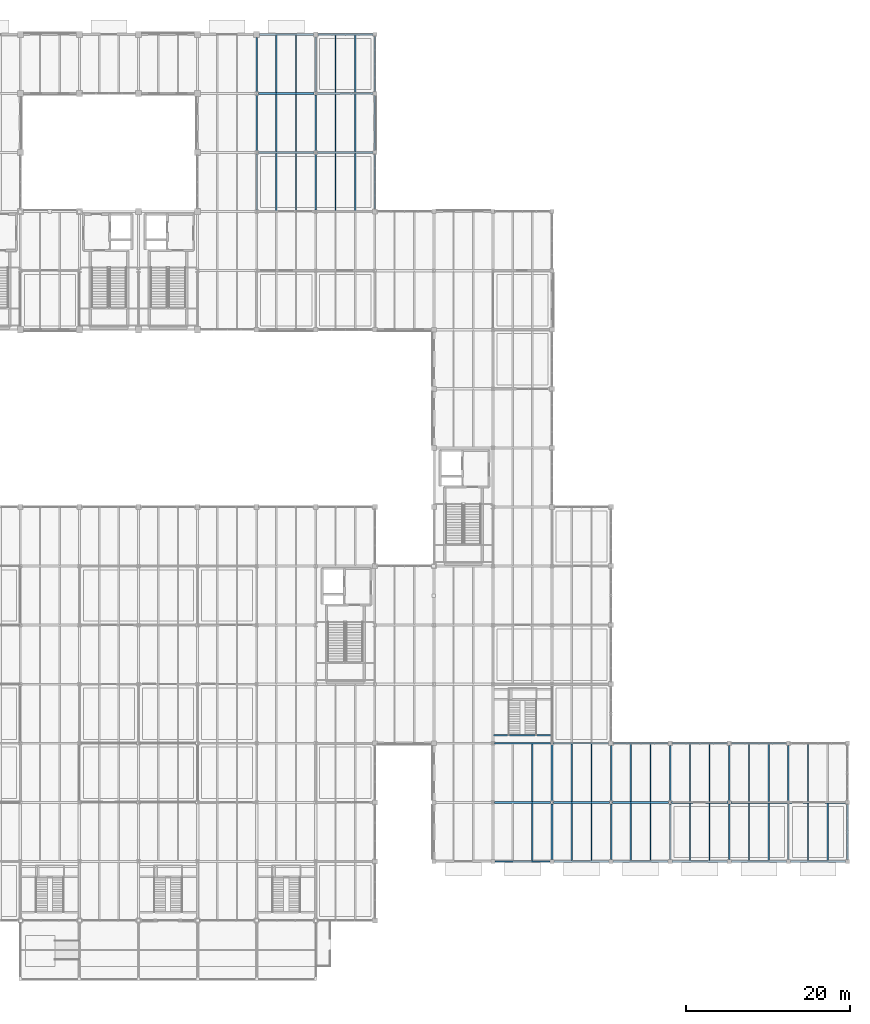
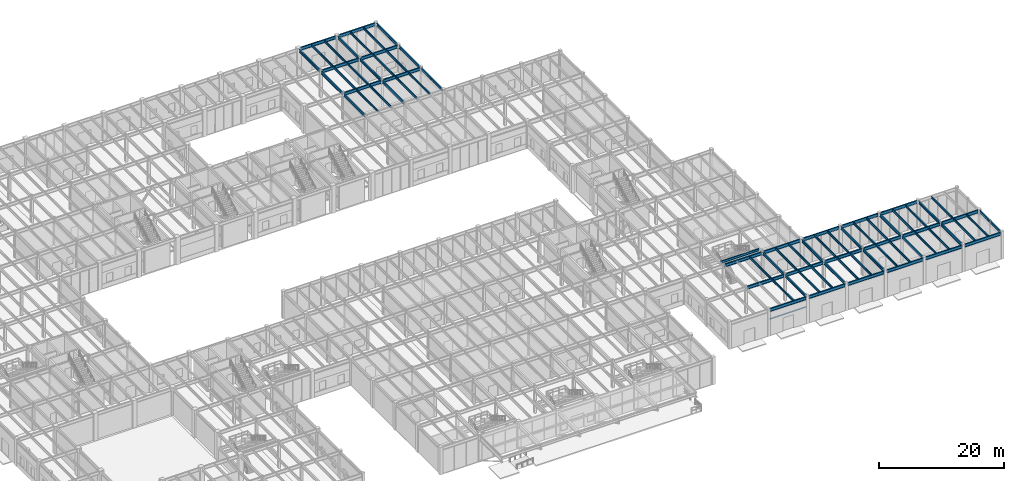
# One storey, part 28 of 97: 78 beams.
"""IFC4 building model written with IfcOpenShell, lengths in metres."""

from ifc_helpers import new_model, si_unit, direction, frame, origin, origin_2d, place, context, subcontext, project, spatial, i_section, extrude, material, material_profile, profile_set, type_object, element, save


model = new_model("IFC4")

# Units and contexts
model_context = context("Model", 3, precision=1e-05, world=origin(), true_north=direction((0.0, 1.0)))
body_context = subcontext(model_context, "Body", "Model", "MODEL_VIEW")
ifc_project = project(units=[si_unit("LENGTHUNIT", "METRE"), si_unit("AREAUNIT", "SQUARE_METRE"), si_unit("VOLUMEUNIT", "CUBIC_METRE"), si_unit("PLANEANGLEUNIT", "RADIAN"), si_unit("MASSUNIT", "GRAM", prefix="KILO")], contexts=[model_context])

# Site, building, storey
site_placement = place(None, origin())
site = spatial("IfcSite", under=ifc_project, at=site_placement, CompositionType="ELEMENT")
building_placement = place(site_placement, origin())
building = spatial("IfcBuilding", under=site, at=building_placement, Name="Sillqori Civic Hall", CompositionType="ELEMENT")
storey_placement = place(building_placement, origin())
storey = spatial("IfcBuildingStorey", under=building, at=storey_placement, Name="L01", CompositionType="ELEMENT", Elevation=0.0)

# Beams
ifc_material = material(Name="Steel ASTM A992", Category="steel")
ifc_material_profile_1 = material_profile(ifc_material, i_section(OverallWidth=0.19091796875, OverallDepth=0.4599609375, WebThickness=0.010009765625, FlangeThickness=0.01611328125, FilletRadius=0.012939453125, at=origin_2d()), Name="W18X55")
ifc_profile_set_1 = profile_set([ifc_material_profile_1], Name="Steel ASTM A992")
beam_type_1 = type_object("IfcBeamType", Name="BM-W18X55", PredefinedType="BEAM", material=ifc_profile_set_1)
beam_1_placement = place(storey_placement, frame((129.639892578125, 29.800048828125, 4.97509765625), z_axis=(1.0, 0.0, 0.0), x_axis=(0.0, 1.0, 0.0)))
element("IfcBeam", 1, at=beam_1_placement, inside=storey, type_object=beam_type_1, Name="Members Library Reading Stair L01-L02 upper arrival trimmer beam", PredefinedType="BEAM", context=body_context, shape_type="SweptSolid", body=[
    extrude(i_section(OverallWidth=0.19091796875, OverallDepth=0.4599609375, WebThickness=0.010009765625, FlangeThickness=0.01611328125, FilletRadius=0.012939453125, at=origin_2d()), origin(), (0.0, 0.0, 1.0), 7.1201171875),
])
ifc_material_profile_2 = material_profile(ifc_material, i_section(OverallWidth=0.2099609375, OverallDepth=0.532958984375, WebThickness=0.01025390625, FlangeThickness=0.015625, FilletRadius=0.013916015625, at=origin_2d()), Name="W21X62")
ifc_profile_set_2 = profile_set([ifc_material_profile_2], Name="Steel ASTM A992")
beam_type_2 = type_object("IfcBeamType", Name="BM-W21X62", PredefinedType="BEAM", material=ifc_profile_set_2)
for number, where, z_axis, x_axis, name in (
    (2, (100.800048828125, 93.797119140625, 4.93359375), (0.0, 1.0, 0.0), (-1.0, 0.0, 0.0), "L01 girder Y 14-13"),
    (3, (100.800048828125, 100.9970703125, 4.93359375), (0.0, 1.0, 0.0), (-1.0, 0.0, 0.0), "L01 girder Y 14-14"),
):
    element("IfcBeam", number, at=place(storey_placement, frame(where, z_axis=z_axis, x_axis=x_axis)), inside=storey, type_object=beam_type_2, Name=name, PredefinedType="BEAM", context=body_context, shape_type="SweptSolid", body=[
        extrude(i_section(OverallWidth=0.2099609375, OverallDepth=0.532958984375, WebThickness=0.01025390625, FlangeThickness=0.015625, FilletRadius=0.013916015625, at=origin_2d()), origin(), (0.0, 0.0, 1.0), 6.805908203125),
    ])
beam_2_placement = place(storey_placement, frame((100.800048828125, 108.197021484375, 4.93359375), z_axis=(0.0, 1.0, 0.0), x_axis=(-1.0, 0.0, 0.0)))
element("IfcBeam", 4, at=beam_2_placement, inside=storey, type_object=beam_type_2, Name="L01 girder Y 14-15", PredefinedType="BEAM", context=body_context, shape_type="SweptSolid", body=[
    extrude(i_section(OverallWidth=0.2099609375, OverallDepth=0.532958984375, WebThickness=0.01025390625, FlangeThickness=0.015625, FilletRadius=0.013916015625, at=origin_2d()), origin(), (0.0, 0.0, 1.0), 6.634033203125),
])
beam_3_placement = place(storey_placement, frame((108.0, 93.781982421875, 4.93359375), z_axis=(0.0, 1.0, 0.0), x_axis=(-1.0, 0.0, 0.0)))
element("IfcBeam", 5, at=beam_3_placement, inside=storey, type_object=beam_type_2, Name="L01 girder Y 15-13", PredefinedType="BEAM", context=body_context, shape_type="SweptSolid", body=[
    extrude(i_section(OverallWidth=0.2099609375, OverallDepth=0.532958984375, WebThickness=0.01025390625, FlangeThickness=0.015625, FilletRadius=0.013916015625, at=origin_2d()), origin(), (0.0, 0.0, 1.0), 6.8359375),
])
beam_4_placement = place(storey_placement, frame((108.0, 100.98193359375, 4.93359375), z_axis=(0.0, 1.0, 0.0), x_axis=(-1.0, 0.0, 0.0)))
element("IfcBeam", 6, at=beam_4_placement, inside=storey, type_object=beam_type_2, Name="L01 girder Y 15-14", PredefinedType="BEAM", context=body_context, shape_type="SweptSolid", body=[
    extrude(i_section(OverallWidth=0.2099609375, OverallDepth=0.532958984375, WebThickness=0.01025390625, FlangeThickness=0.015625, FilletRadius=0.013916015625, at=origin_2d()), origin(), (0.0, 0.0, 1.0), 6.836181640625),
])
beam_5_placement = place(storey_placement, frame((108.0, 108.181884765625, 4.93359375), z_axis=(0.0, 1.0, 0.0), x_axis=(-1.0, 0.0, 0.0)))
element("IfcBeam", 7, at=beam_5_placement, inside=storey, type_object=beam_type_2, Name="L01 girder Y 15-15", PredefinedType="BEAM", context=body_context, shape_type="SweptSolid", body=[
    extrude(i_section(OverallWidth=0.2099609375, OverallDepth=0.532958984375, WebThickness=0.01025390625, FlangeThickness=0.015625, FilletRadius=0.013916015625, at=origin_2d()), origin(), (0.0, 0.0, 1.0), 6.72412109375),
])
beam_6_placement = place(storey_placement, frame((115.199951171875, 93.89404296875, 4.93359375), z_axis=(0.0, 1.0, 0.0), x_axis=(-1.0, 0.0, 0.0)))
element("IfcBeam", 8, at=beam_6_placement, inside=storey, type_object=beam_type_2, Name="L01 girder Y 16-13", PredefinedType="BEAM", context=body_context, shape_type="SweptSolid", body=[
    extrude(i_section(OverallWidth=0.2099609375, OverallDepth=0.532958984375, WebThickness=0.01025390625, FlangeThickness=0.015625, FilletRadius=0.013916015625, at=origin_2d()), origin(), (0.0, 0.0, 1.0), 6.661865234375),
])
for number, where, z_axis, x_axis, name in (
    (9, (115.199951171875, 101.0439453125, 4.93359375), (0.0, 1.0, 0.0), (-1.0, 0.0, 0.0), "L01 girder Y 16-14"),
    (10, (115.199951171875, 108.243896484375, 4.93359375), (0.0, 1.0, 0.0), (-1.0, 0.0, 0.0), "L01 girder Y 16-15"),
):
    element("IfcBeam", number, at=place(storey_placement, frame(where, z_axis=z_axis, x_axis=x_axis)), inside=storey, type_object=beam_type_2, Name=name, PredefinedType="BEAM", context=body_context, shape_type="SweptSolid", body=[
        extrude(i_section(OverallWidth=0.2099609375, OverallDepth=0.532958984375, WebThickness=0.01025390625, FlangeThickness=0.015625, FilletRadius=0.013916015625, at=origin_2d()), origin(), (0.0, 0.0, 1.0), 6.712158203125),
    ])
beam_7_placement = place(storey_placement, frame((136.800048828125, 14.64404296875, 4.93359375), z_axis=(0.0, 1.0, 0.0), x_axis=(-1.0, 0.0, 0.0)))
element("IfcBeam", 11, at=beam_7_placement, inside=storey, type_object=beam_type_2, Name="L01 girder Y 19-2", PredefinedType="BEAM", context=body_context, shape_type="SweptSolid", body=[
    extrude(i_section(OverallWidth=0.2099609375, OverallDepth=0.532958984375, WebThickness=0.01025390625, FlangeThickness=0.015625, FilletRadius=0.013916015625, at=origin_2d()), origin(), (0.0, 0.0, 1.0), 6.781494140625),
])
beam_8_placement = place(storey_placement, frame((136.800048828125, 21.7744140625, 4.93359375), z_axis=(0.0, 1.0, 0.0), x_axis=(-1.0, 0.0, 0.0)))
element("IfcBeam", 12, at=beam_8_placement, inside=storey, type_object=beam_type_2, Name="L01 girder Y 19-3", PredefinedType="BEAM", context=body_context, shape_type="SweptSolid", body=[
    extrude(i_section(OverallWidth=0.2099609375, OverallDepth=0.532958984375, WebThickness=0.01025390625, FlangeThickness=0.015625, FilletRadius=0.013916015625, at=origin_2d()), origin(), (0.0, 0.0, 1.0), 6.84765625),
])
beam_9_placement = place(storey_placement, frame((144.0, 14.64404296875, 4.93359375), z_axis=(0.0, 1.0, 0.0), x_axis=(-1.0, 0.0, 0.0)))
element("IfcBeam", 13, at=beam_9_placement, inside=storey, type_object=beam_type_2, Name="L01 girder Y 20-2", PredefinedType="BEAM", context=body_context, shape_type="SweptSolid", body=[
    extrude(i_section(OverallWidth=0.2099609375, OverallDepth=0.532958984375, WebThickness=0.01025390625, FlangeThickness=0.015625, FilletRadius=0.013916015625, at=origin_2d()), origin(), (0.0, 0.0, 1.0), 6.781494140625),
])
beam_10_placement = place(storey_placement, frame((144.0, 21.7744140625, 4.93359375), z_axis=(0.0, 1.0, 0.0), x_axis=(-1.0, 0.0, 0.0)))
element("IfcBeam", 14, at=beam_10_placement, inside=storey, type_object=beam_type_2, Name="L01 girder Y 20-3", PredefinedType="BEAM", context=body_context, shape_type="SweptSolid", body=[
    extrude(i_section(OverallWidth=0.2099609375, OverallDepth=0.532958984375, WebThickness=0.01025390625, FlangeThickness=0.015625, FilletRadius=0.013916015625, at=origin_2d()), origin(), (0.0, 0.0, 1.0), 6.731689453125),
])
for number, where, z_axis, x_axis, name in (
    (15, (151.199951171875, 14.64404296875, 4.93359375), (0.0, 1.0, 0.0), (-1.0, 0.0, 0.0), "L01 girder Y 21-2"),
    (16, (151.199951171875, 21.7744140625, 4.93359375), (0.0, 1.0, 0.0), (-1.0, 0.0, 0.0), "L01 girder Y 21-3"),
    (17, (158.39990234375, 14.64404296875, 4.93359375), (0.0, 1.0, 0.0), (-1.0, 0.0, 0.0), "L01 girder Y 22-2"),
    (18, (158.39990234375, 21.7744140625, 4.93359375), (0.0, 1.0, 0.0), (-1.0, 0.0, 0.0), "L01 girder Y 22-3"),
):
    element("IfcBeam", number, at=place(storey_placement, frame(where, z_axis=z_axis, x_axis=x_axis)), inside=storey, type_object=beam_type_2, Name=name, PredefinedType="BEAM", context=body_context, shape_type="SweptSolid", body=[
        extrude(i_section(OverallWidth=0.2099609375, OverallDepth=0.532958984375, WebThickness=0.01025390625, FlangeThickness=0.015625, FilletRadius=0.013916015625, at=origin_2d()), origin(), (0.0, 0.0, 1.0), 6.781494140625),
    ])
for number, where, z_axis, x_axis, name in (
    (19, (165.60009765625, 14.64404296875, 4.93359375), (0.0, 1.0, 0.0), (-1.0, 0.0, 0.0), "L01 girder Y 23-2"),
    (20, (165.60009765625, 21.775390625, 4.93359375), (0.0, 1.0, 0.0), (-1.0, 0.0, 0.0), "L01 girder Y 23-3"),
):
    element("IfcBeam", number, at=place(storey_placement, frame(where, z_axis=z_axis, x_axis=x_axis)), inside=storey, type_object=beam_type_2, Name=name, PredefinedType="BEAM", context=body_context, shape_type="SweptSolid", body=[
        extrude(i_section(OverallWidth=0.2099609375, OverallDepth=0.532958984375, WebThickness=0.01025390625, FlangeThickness=0.015625, FilletRadius=0.013916015625, at=origin_2d()), origin(), (0.0, 0.0, 1.0), 6.780517578125),
    ])
beam_11_placement = place(storey_placement, frame((172.800048828125, 14.64404296875, 4.93359375), z_axis=(0.0, 1.0, 0.0), x_axis=(-1.0, 0.0, 0.0)))
element("IfcBeam", 21, at=beam_11_placement, inside=storey, type_object=beam_type_2, Name="L01 girder Y 24-2", PredefinedType="BEAM", context=body_context, shape_type="SweptSolid", body=[
    extrude(i_section(OverallWidth=0.2099609375, OverallDepth=0.532958984375, WebThickness=0.01025390625, FlangeThickness=0.015625, FilletRadius=0.013916015625, at=origin_2d()), origin(), (0.0, 0.0, 1.0), 6.7119140625),
])
ifc_material_profile_3 = material_profile(ifc_material, i_section(OverallWidth=0.22802734375, OverallDepth=0.60205078125, WebThickness=0.010498046875, FlangeThickness=0.014892578125, FilletRadius=0.014892578125, at=origin_2d()), Name="W24X68")
ifc_profile_set_3 = profile_set([ifc_material_profile_3], Name="Steel ASTM A992")
beam_type_3 = type_object("IfcBeamType", Name="BM-W24X68", PredefinedType="BEAM", material=ifc_profile_set_3)
for number, where, z_axis, x_axis, name in (
    (22, (100.99609375, 100.800048828125, 4.89892578125), (1.0, 0.0, 0.0), (0.0, 1.0, 0.0), "L01 girder X 14-14"),
    (23, (100.99609375, 108.0, 4.89892578125), (1.0, 0.0, 0.0), (0.0, 1.0, 0.0), "L01 girder X 14-15"),
):
    element("IfcBeam", number, at=place(storey_placement, frame(where, z_axis=z_axis, x_axis=x_axis)), inside=storey, type_object=beam_type_3, Name=name, PredefinedType="BEAM", context=body_context, shape_type="SweptSolid", body=[
        extrude(i_section(OverallWidth=0.22802734375, OverallDepth=0.60205078125, WebThickness=0.010498046875, FlangeThickness=0.014892578125, FilletRadius=0.014892578125, at=origin_2d()), origin(), (0.0, 0.0, 1.0), 6.81298828125),
    ])
beam_12_placement = place(storey_placement, frame((101.1689453125, 115.199951171875, 4.89892578125), z_axis=(1.0, 0.0, 0.0), x_axis=(0.0, 1.0, 0.0)))
element("IfcBeam", 24, at=beam_12_placement, inside=storey, type_object=beam_type_3, Name="L01 girder X 14-16", PredefinedType="BEAM", context=body_context, shape_type="SweptSolid", body=[
    extrude(i_section(OverallWidth=0.22802734375, OverallDepth=0.60205078125, WebThickness=0.010498046875, FlangeThickness=0.014892578125, FilletRadius=0.014892578125, at=origin_2d()), origin(), (0.0, 0.0, 1.0), 6.537109375),
])
for number, where, z_axis, x_axis, name in (
    (25, (108.19091796875, 100.800048828125, 4.89892578125), (1.0, 0.0, 0.0), (0.0, 1.0, 0.0), "L01 girder X 15-14"),
    (26, (108.19091796875, 108.0, 4.89892578125), (1.0, 0.0, 0.0), (0.0, 1.0, 0.0), "L01 girder X 15-15"),
):
    element("IfcBeam", number, at=place(storey_placement, frame(where, z_axis=z_axis, x_axis=x_axis)), inside=storey, type_object=beam_type_3, Name=name, PredefinedType="BEAM", context=body_context, shape_type="SweptSolid", body=[
        extrude(i_section(OverallWidth=0.22802734375, OverallDepth=0.60205078125, WebThickness=0.010498046875, FlangeThickness=0.014892578125, FilletRadius=0.014892578125, at=origin_2d()), origin(), (0.0, 0.0, 1.0), 6.76513671875),
    ])
beam_13_placement = place(storey_placement, frame((108.2939453125, 115.199951171875, 4.89892578125), z_axis=(1.0, 0.0, 0.0), x_axis=(0.0, 1.0, 0.0)))
element("IfcBeam", 27, at=beam_13_placement, inside=storey, type_object=beam_type_3, Name="L01 girder X 15-16", PredefinedType="BEAM", context=body_context, shape_type="SweptSolid", body=[
    extrude(i_section(OverallWidth=0.22802734375, OverallDepth=0.60205078125, WebThickness=0.010498046875, FlangeThickness=0.014892578125, FilletRadius=0.014892578125, at=origin_2d()), origin(), (0.0, 0.0, 1.0), 6.662109375),
])
beam_14_placement = place(storey_placement, frame((129.843994140625, 14.39990234375, 4.89892578125), z_axis=(1.0, 0.0, 0.0), x_axis=(0.0, 1.0, 0.0)))
element("IfcBeam", 28, at=beam_14_placement, inside=storey, type_object=beam_type_3, Name="L01 girder X 18-2", PredefinedType="BEAM", context=body_context, shape_type="SweptSolid", body=[
    extrude(i_section(OverallWidth=0.22802734375, OverallDepth=0.60205078125, WebThickness=0.010498046875, FlangeThickness=0.014892578125, FilletRadius=0.014892578125, at=origin_2d()), origin(), (0.0, 0.0, 1.0), 6.7119140625),
])
beam_15_placement = place(storey_placement, frame((129.779541015625, 21.60009765625, 4.89892578125), z_axis=(1.0, 0.0, 0.0), x_axis=(0.0, 1.0, 0.0)))
element("IfcBeam", 29, at=beam_15_placement, inside=storey, type_object=beam_type_3, Name="L01 girder X 18-3", PredefinedType="BEAM", context=body_context, shape_type="SweptSolid", body=[
    extrude(i_section(OverallWidth=0.22802734375, OverallDepth=0.60205078125, WebThickness=0.010498046875, FlangeThickness=0.014892578125, FilletRadius=0.014892578125, at=origin_2d()), origin(), (0.0, 0.0, 1.0), 6.841064453125),
])
beam_16_placement = place(storey_placement, frame((129.780517578125, 28.800048828125, 4.89892578125), z_axis=(1.0, 0.0, 0.0), x_axis=(0.0, 1.0, 0.0)))
element("IfcBeam", 30, at=beam_16_placement, inside=storey, type_object=beam_type_3, Name="L01 girder X 18-4", PredefinedType="BEAM", context=body_context, shape_type="SweptSolid", body=[
    extrude(i_section(OverallWidth=0.22802734375, OverallDepth=0.60205078125, WebThickness=0.010498046875, FlangeThickness=0.014892578125, FilletRadius=0.014892578125, at=origin_2d()), origin(), (0.0, 0.0, 1.0), 6.8388671875),
])
beam_17_placement = place(storey_placement, frame((137.0439453125, 14.39990234375, 4.89892578125), z_axis=(1.0, 0.0, 0.0), x_axis=(0.0, 1.0, 0.0)))
element("IfcBeam", 31, at=beam_17_placement, inside=storey, type_object=beam_type_3, Name="L01 girder X 19-2", PredefinedType="BEAM", context=body_context, shape_type="SweptSolid", body=[
    extrude(i_section(OverallWidth=0.22802734375, OverallDepth=0.60205078125, WebThickness=0.010498046875, FlangeThickness=0.014892578125, FilletRadius=0.014892578125, at=origin_2d()), origin(), (0.0, 0.0, 1.0), 6.712158203125),
])
beam_18_placement = place(storey_placement, frame((136.9794921875, 21.60009765625, 4.89892578125), z_axis=(1.0, 0.0, 0.0), x_axis=(0.0, 1.0, 0.0)))
element("IfcBeam", 32, at=beam_18_placement, inside=storey, type_object=beam_type_3, Name="L01 girder X 19-3", PredefinedType="BEAM", context=body_context, shape_type="SweptSolid", body=[
    extrude(i_section(OverallWidth=0.22802734375, OverallDepth=0.60205078125, WebThickness=0.010498046875, FlangeThickness=0.014892578125, FilletRadius=0.014892578125, at=origin_2d()), origin(), (0.0, 0.0, 1.0), 6.841064453125),
])
beam_19_placement = place(storey_placement, frame((136.98046875, 28.800048828125, 4.89892578125), z_axis=(1.0, 0.0, 0.0), x_axis=(0.0, 1.0, 0.0)))
element("IfcBeam", 33, at=beam_19_placement, inside=storey, type_object=beam_type_3, Name="L01 girder X 19-4", PredefinedType="BEAM", context=body_context, shape_type="SweptSolid", body=[
    extrude(i_section(OverallWidth=0.22802734375, OverallDepth=0.60205078125, WebThickness=0.010498046875, FlangeThickness=0.014892578125, FilletRadius=0.014892578125, at=origin_2d()), origin(), (0.0, 0.0, 1.0), 6.7255859375),
])
beam_20_placement = place(storey_placement, frame((144.243896484375, 14.39990234375, 4.89892578125), z_axis=(1.0, 0.0, 0.0), x_axis=(0.0, 1.0, 0.0)))
element("IfcBeam", 34, at=beam_20_placement, inside=storey, type_object=beam_type_3, Name="L01 girder X 20-2", PredefinedType="BEAM", context=body_context, shape_type="SweptSolid", body=[
    extrude(i_section(OverallWidth=0.22802734375, OverallDepth=0.60205078125, WebThickness=0.010498046875, FlangeThickness=0.014892578125, FilletRadius=0.014892578125, at=origin_2d()), origin(), (0.0, 0.0, 1.0), 6.712158203125),
])
beam_21_placement = place(storey_placement, frame((144.179443359375, 21.60009765625, 4.89892578125), z_axis=(1.0, 0.0, 0.0), x_axis=(0.0, 1.0, 0.0)))
element("IfcBeam", 35, at=beam_21_placement, inside=storey, type_object=beam_type_3, Name="L01 girder X 20-3", PredefinedType="BEAM", context=body_context, shape_type="SweptSolid", body=[
    extrude(i_section(OverallWidth=0.22802734375, OverallDepth=0.60205078125, WebThickness=0.010498046875, FlangeThickness=0.014892578125, FilletRadius=0.014892578125, at=origin_2d()), origin(), (0.0, 0.0, 1.0), 6.841064453125),
])
beam_22_placement = place(storey_placement, frame((144.2939453125, 28.800048828125, 4.89892578125), z_axis=(1.0, 0.0, 0.0), x_axis=(0.0, 1.0, 0.0)))
element("IfcBeam", 36, at=beam_22_placement, inside=storey, type_object=beam_type_3, Name="L01 girder X 20-4", PredefinedType="BEAM", context=body_context, shape_type="SweptSolid", body=[
    extrude(i_section(OverallWidth=0.22802734375, OverallDepth=0.60205078125, WebThickness=0.010498046875, FlangeThickness=0.014892578125, FilletRadius=0.014892578125, at=origin_2d()), origin(), (0.0, 0.0, 1.0), 6.662109375),
])
beam_23_placement = place(storey_placement, frame((151.444091796875, 14.39990234375, 4.89892578125), z_axis=(1.0, 0.0, 0.0), x_axis=(0.0, 1.0, 0.0)))
element("IfcBeam", 37, at=beam_23_placement, inside=storey, type_object=beam_type_3, Name="L01 girder X 21-2", PredefinedType="BEAM", context=body_context, shape_type="SweptSolid", body=[
    extrude(i_section(OverallWidth=0.22802734375, OverallDepth=0.60205078125, WebThickness=0.010498046875, FlangeThickness=0.014892578125, FilletRadius=0.014892578125, at=origin_2d()), origin(), (0.0, 0.0, 1.0), 6.7119140625),
])
beam_24_placement = place(storey_placement, frame((151.37939453125, 21.60009765625, 4.89892578125), z_axis=(1.0, 0.0, 0.0), x_axis=(0.0, 1.0, 0.0)))
element("IfcBeam", 38, at=beam_24_placement, inside=storey, type_object=beam_type_3, Name="L01 girder X 21-3", PredefinedType="BEAM", context=body_context, shape_type="SweptSolid", body=[
    extrude(i_section(OverallWidth=0.22802734375, OverallDepth=0.60205078125, WebThickness=0.010498046875, FlangeThickness=0.014892578125, FilletRadius=0.014892578125, at=origin_2d()), origin(), (0.0, 0.0, 1.0), 6.841064453125),
])
for number, where, z_axis, x_axis, name in (
    (39, (151.444091796875, 28.800048828125, 4.89892578125), (1.0, 0.0, 0.0), (0.0, 1.0, 0.0), "L01 girder X 21-4"),
    (40, (158.64404296875, 14.39990234375, 4.89892578125), (1.0, 0.0, 0.0), (0.0, 1.0, 0.0), "L01 girder X 22-2"),
):
    element("IfcBeam", number, at=place(storey_placement, frame(where, z_axis=z_axis, x_axis=x_axis)), inside=storey, type_object=beam_type_3, Name=name, PredefinedType="BEAM", context=body_context, shape_type="SweptSolid", body=[
        extrude(i_section(OverallWidth=0.22802734375, OverallDepth=0.60205078125, WebThickness=0.010498046875, FlangeThickness=0.014892578125, FilletRadius=0.014892578125, at=origin_2d()), origin(), (0.0, 0.0, 1.0), 6.7119140625),
    ])
beam_25_placement = place(storey_placement, frame((158.57958984375, 21.60009765625, 4.89892578125), z_axis=(1.0, 0.0, 0.0), x_axis=(0.0, 1.0, 0.0)))
element("IfcBeam", 41, at=beam_25_placement, inside=storey, type_object=beam_type_3, Name="L01 girder X 22-3", PredefinedType="BEAM", context=body_context, shape_type="SweptSolid", body=[
    extrude(i_section(OverallWidth=0.22802734375, OverallDepth=0.60205078125, WebThickness=0.010498046875, FlangeThickness=0.014892578125, FilletRadius=0.014892578125, at=origin_2d()), origin(), (0.0, 0.0, 1.0), 6.89794921875),
])
for number, where, z_axis, x_axis, name in (
    (42, (158.64404296875, 28.800048828125, 4.89892578125), (1.0, 0.0, 0.0), (0.0, 1.0, 0.0), "L01 girder X 22-4"),
    (43, (165.843994140625, 14.39990234375, 4.89892578125), (1.0, 0.0, 0.0), (0.0, 1.0, 0.0), "L01 girder X 23-2"),
):
    element("IfcBeam", number, at=place(storey_placement, frame(where, z_axis=z_axis, x_axis=x_axis)), inside=storey, type_object=beam_type_3, Name=name, PredefinedType="BEAM", context=body_context, shape_type="SweptSolid", body=[
        extrude(i_section(OverallWidth=0.22802734375, OverallDepth=0.60205078125, WebThickness=0.010498046875, FlangeThickness=0.014892578125, FilletRadius=0.014892578125, at=origin_2d()), origin(), (0.0, 0.0, 1.0), 6.7119140625),
    ])
beam_26_placement = place(storey_placement, frame((165.722412109375, 21.60009765625, 4.89892578125), z_axis=(1.0, 0.0, 0.0), x_axis=(0.0, 1.0, 0.0)))
element("IfcBeam", 44, at=beam_26_placement, inside=storey, type_object=beam_type_3, Name="L01 girder X 23-3", PredefinedType="BEAM", context=body_context, shape_type="SweptSolid", body=[
    extrude(i_section(OverallWidth=0.22802734375, OverallDepth=0.60205078125, WebThickness=0.010498046875, FlangeThickness=0.014892578125, FilletRadius=0.014892578125, at=origin_2d()), origin(), (0.0, 0.0, 1.0), 6.83349609375),
])
ifc_material_profile_4 = material_profile(ifc_material, i_section(OverallWidth=0.153076171875, OverallDepth=0.455078125, WebThickness=0.008056640625, FlangeThickness=0.01318359375, FilletRadius=0.012939453125, at=origin_2d()), Name="W18X40")
ifc_profile_set_4 = profile_set([ifc_material_profile_4], Name="Steel ASTM A992")
beam_type_4 = type_object("IfcBeamType", Name="JS-W18X40", PredefinedType="JOIST", material=ifc_profile_set_4)
for number, where, z_axis, x_axis, name in (
    (45, (103.199951171875, 93.695068359375, 4.972412109375), (0.0, 1.0, 0.0), (-1.0, 0.0, 0.0), "L01 composite joist 14-13.1"),
    (46, (105.60009765625, 93.695068359375, 4.972412109375), (0.0, 1.0, 0.0), (-1.0, 0.0, 0.0), "L01 composite joist 14-13.2"),
    (47, (103.199951171875, 100.89501953125, 4.972412109375), (0.0, 1.0, 0.0), (-1.0, 0.0, 0.0), "L01 composite joist 14-14.1"),
    (48, (105.60009765625, 100.89501953125, 4.972412109375), (0.0, 1.0, 0.0), (-1.0, 0.0, 0.0), "L01 composite joist 14-14.2"),
    (49, (103.199951171875, 108.094970703125, 4.972412109375), (0.0, 1.0, 0.0), (-1.0, 0.0, 0.0), "L01 composite joist 14-15.1"),
    (50, (105.60009765625, 108.094970703125, 4.972412109375), (0.0, 1.0, 0.0), (-1.0, 0.0, 0.0), "L01 composite joist 14-15.2"),
    (51, (110.39990234375, 93.695068359375, 4.972412109375), (0.0, 1.0, 0.0), (-1.0, 0.0, 0.0), "L01 composite joist 15-13.1"),
    (52, (112.800048828125, 93.695068359375, 4.972412109375), (0.0, 1.0, 0.0), (-1.0, 0.0, 0.0), "L01 composite joist 15-13.2"),
    (53, (110.39990234375, 100.89501953125, 4.972412109375), (0.0, 1.0, 0.0), (-1.0, 0.0, 0.0), "L01 composite joist 15-14.1"),
    (54, (112.800048828125, 100.89501953125, 4.972412109375), (0.0, 1.0, 0.0), (-1.0, 0.0, 0.0), "L01 composite joist 15-14.2"),
    (55, (110.39990234375, 108.094970703125, 4.972412109375), (0.0, 1.0, 0.0), (-1.0, 0.0, 0.0), "L01 composite joist 15-15.1"),
    (56, (112.800048828125, 108.094970703125, 4.972412109375), (0.0, 1.0, 0.0), (-1.0, 0.0, 0.0), "L01 composite joist 15-15.2"),
):
    element("IfcBeam", number, at=place(storey_placement, frame(where, z_axis=z_axis, x_axis=x_axis)), inside=storey, type_object=beam_type_4, Name=name, PredefinedType="JOIST", context=body_context, shape_type="SweptSolid", body=[
        extrude(i_section(OverallWidth=0.153076171875, OverallDepth=0.455078125, WebThickness=0.008056640625, FlangeThickness=0.01318359375, FilletRadius=0.012939453125, at=origin_2d()), origin(), (0.0, 0.0, 1.0), 7.010009765625),
    ])
beam_27_placement = place(storey_placement, frame((134.39990234375, 14.4951171875, 4.972412109375), z_axis=(0.0, 1.0, 0.0), x_axis=(-1.0, 0.0, 0.0)))
element("IfcBeam", 57, at=beam_27_placement, inside=storey, type_object=beam_type_4, Name="L01 composite joist 18-2.2", PredefinedType="JOIST", context=body_context, shape_type="SweptSolid", body=[
    extrude(i_section(OverallWidth=0.153076171875, OverallDepth=0.455078125, WebThickness=0.008056640625, FlangeThickness=0.01318359375, FilletRadius=0.012939453125, at=origin_2d()), origin(), (0.0, 0.0, 1.0), 7.009765625),
])
beam_28_placement = place(storey_placement, frame((134.39990234375, 21.695068359375, 4.972412109375), z_axis=(0.0, 1.0, 0.0), x_axis=(-1.0, 0.0, 0.0)))
element("IfcBeam", 58, at=beam_28_placement, inside=storey, type_object=beam_type_4, Name="L01 composite joist 18-3.2", PredefinedType="JOIST", context=body_context, shape_type="SweptSolid", body=[
    extrude(i_section(OverallWidth=0.153076171875, OverallDepth=0.455078125, WebThickness=0.008056640625, FlangeThickness=0.01318359375, FilletRadius=0.012939453125, at=origin_2d()), origin(), (0.0, 0.0, 1.0), 7.010009765625),
])
for number, where, z_axis, x_axis, name in (
    (59, (139.199951171875, 14.4951171875, 4.972412109375), (0.0, 1.0, 0.0), (-1.0, 0.0, 0.0), "L01 composite joist 19-2.1"),
    (60, (141.60009765625, 14.4951171875, 4.972412109375), (0.0, 1.0, 0.0), (-1.0, 0.0, 0.0), "L01 composite joist 19-2.2"),
):
    element("IfcBeam", number, at=place(storey_placement, frame(where, z_axis=z_axis, x_axis=x_axis)), inside=storey, type_object=beam_type_4, Name=name, PredefinedType="JOIST", context=body_context, shape_type="SweptSolid", body=[
        extrude(i_section(OverallWidth=0.153076171875, OverallDepth=0.455078125, WebThickness=0.008056640625, FlangeThickness=0.01318359375, FilletRadius=0.012939453125, at=origin_2d()), origin(), (0.0, 0.0, 1.0), 7.009765625),
    ])
for number, where, z_axis, x_axis, name in (
    (61, (139.199951171875, 21.695068359375, 4.972412109375), (0.0, 1.0, 0.0), (-1.0, 0.0, 0.0), "L01 composite joist 19-3.1"),
    (62, (141.60009765625, 21.695068359375, 4.972412109375), (0.0, 1.0, 0.0), (-1.0, 0.0, 0.0), "L01 composite joist 19-3.2"),
):
    element("IfcBeam", number, at=place(storey_placement, frame(where, z_axis=z_axis, x_axis=x_axis)), inside=storey, type_object=beam_type_4, Name=name, PredefinedType="JOIST", context=body_context, shape_type="SweptSolid", body=[
        extrude(i_section(OverallWidth=0.153076171875, OverallDepth=0.455078125, WebThickness=0.008056640625, FlangeThickness=0.01318359375, FilletRadius=0.012939453125, at=origin_2d()), origin(), (0.0, 0.0, 1.0), 7.010009765625),
    ])
for number, where, z_axis, x_axis, name in (
    (63, (146.39990234375, 14.4951171875, 4.972412109375), (0.0, 1.0, 0.0), (-1.0, 0.0, 0.0), "L01 composite joist 20-2.1"),
    (64, (148.800048828125, 14.4951171875, 4.972412109375), (0.0, 1.0, 0.0), (-1.0, 0.0, 0.0), "L01 composite joist 20-2.2"),
):
    element("IfcBeam", number, at=place(storey_placement, frame(where, z_axis=z_axis, x_axis=x_axis)), inside=storey, type_object=beam_type_4, Name=name, PredefinedType="JOIST", context=body_context, shape_type="SweptSolid", body=[
        extrude(i_section(OverallWidth=0.153076171875, OverallDepth=0.455078125, WebThickness=0.008056640625, FlangeThickness=0.01318359375, FilletRadius=0.012939453125, at=origin_2d()), origin(), (0.0, 0.0, 1.0), 7.009765625),
    ])
for number, where, z_axis, x_axis, name in (
    (65, (146.39990234375, 21.695068359375, 4.972412109375), (0.0, 1.0, 0.0), (-1.0, 0.0, 0.0), "L01 composite joist 20-3.1"),
    (66, (148.800048828125, 21.695068359375, 4.972412109375), (0.0, 1.0, 0.0), (-1.0, 0.0, 0.0), "L01 composite joist 20-3.2"),
):
    element("IfcBeam", number, at=place(storey_placement, frame(where, z_axis=z_axis, x_axis=x_axis)), inside=storey, type_object=beam_type_4, Name=name, PredefinedType="JOIST", context=body_context, shape_type="SweptSolid", body=[
        extrude(i_section(OverallWidth=0.153076171875, OverallDepth=0.455078125, WebThickness=0.008056640625, FlangeThickness=0.01318359375, FilletRadius=0.012939453125, at=origin_2d()), origin(), (0.0, 0.0, 1.0), 7.010009765625),
    ])
for number, where, z_axis, x_axis, name in (
    (67, (153.60009765625, 14.4951171875, 4.972412109375), (0.0, 1.0, 0.0), (-1.0, 0.0, 0.0), "L01 composite joist 21-2.1"),
    (68, (156.0, 14.4951171875, 4.972412109375), (0.0, 1.0, 0.0), (-1.0, 0.0, 0.0), "L01 composite joist 21-2.2"),
):
    element("IfcBeam", number, at=place(storey_placement, frame(where, z_axis=z_axis, x_axis=x_axis)), inside=storey, type_object=beam_type_4, Name=name, PredefinedType="JOIST", context=body_context, shape_type="SweptSolid", body=[
        extrude(i_section(OverallWidth=0.153076171875, OverallDepth=0.455078125, WebThickness=0.008056640625, FlangeThickness=0.01318359375, FilletRadius=0.012939453125, at=origin_2d()), origin(), (0.0, 0.0, 1.0), 7.009765625),
    ])
for number, where, z_axis, x_axis, name in (
    (69, (153.60009765625, 21.695068359375, 4.972412109375), (0.0, 1.0, 0.0), (-1.0, 0.0, 0.0), "L01 composite joist 21-3.1"),
    (70, (156.0, 21.695068359375, 4.972412109375), (0.0, 1.0, 0.0), (-1.0, 0.0, 0.0), "L01 composite joist 21-3.2"),
):
    element("IfcBeam", number, at=place(storey_placement, frame(where, z_axis=z_axis, x_axis=x_axis)), inside=storey, type_object=beam_type_4, Name=name, PredefinedType="JOIST", context=body_context, shape_type="SweptSolid", body=[
        extrude(i_section(OverallWidth=0.153076171875, OverallDepth=0.455078125, WebThickness=0.008056640625, FlangeThickness=0.01318359375, FilletRadius=0.012939453125, at=origin_2d()), origin(), (0.0, 0.0, 1.0), 7.010009765625),
    ])
for number, where, z_axis, x_axis, name in (
    (71, (160.800048828125, 14.4951171875, 4.972412109375), (0.0, 1.0, 0.0), (-1.0, 0.0, 0.0), "L01 composite joist 22-2.1"),
    (72, (163.199951171875, 14.4951171875, 4.972412109375), (0.0, 1.0, 0.0), (-1.0, 0.0, 0.0), "L01 composite joist 22-2.2"),
):
    element("IfcBeam", number, at=place(storey_placement, frame(where, z_axis=z_axis, x_axis=x_axis)), inside=storey, type_object=beam_type_4, Name=name, PredefinedType="JOIST", context=body_context, shape_type="SweptSolid", body=[
        extrude(i_section(OverallWidth=0.153076171875, OverallDepth=0.455078125, WebThickness=0.008056640625, FlangeThickness=0.01318359375, FilletRadius=0.012939453125, at=origin_2d()), origin(), (0.0, 0.0, 1.0), 7.009765625),
    ])
for number, where, z_axis, x_axis, name in (
    (73, (160.800048828125, 21.695068359375, 4.972412109375), (0.0, 1.0, 0.0), (-1.0, 0.0, 0.0), "L01 composite joist 22-3.1"),
    (74, (163.199951171875, 21.695068359375, 4.972412109375), (0.0, 1.0, 0.0), (-1.0, 0.0, 0.0), "L01 composite joist 22-3.2"),
):
    element("IfcBeam", number, at=place(storey_placement, frame(where, z_axis=z_axis, x_axis=x_axis)), inside=storey, type_object=beam_type_4, Name=name, PredefinedType="JOIST", context=body_context, shape_type="SweptSolid", body=[
        extrude(i_section(OverallWidth=0.153076171875, OverallDepth=0.455078125, WebThickness=0.008056640625, FlangeThickness=0.01318359375, FilletRadius=0.012939453125, at=origin_2d()), origin(), (0.0, 0.0, 1.0), 7.010009765625),
    ])
for number, where, z_axis, x_axis, name in (
    (75, (168.0, 14.4951171875, 4.972412109375), (0.0, 1.0, 0.0), (-1.0, 0.0, 0.0), "L01 composite joist 23-2.1"),
    (76, (170.39990234375, 14.4951171875, 4.972412109375), (0.0, 1.0, 0.0), (-1.0, 0.0, 0.0), "L01 composite joist 23-2.2"),
):
    element("IfcBeam", number, at=place(storey_placement, frame(where, z_axis=z_axis, x_axis=x_axis)), inside=storey, type_object=beam_type_4, Name=name, PredefinedType="JOIST", context=body_context, shape_type="SweptSolid", body=[
        extrude(i_section(OverallWidth=0.153076171875, OverallDepth=0.455078125, WebThickness=0.008056640625, FlangeThickness=0.01318359375, FilletRadius=0.012939453125, at=origin_2d()), origin(), (0.0, 0.0, 1.0), 7.009765625),
    ])
beam_29_placement = place(storey_placement, frame((168.0, 21.695068359375, 4.972412109375), z_axis=(0.0, 1.0, 0.0), x_axis=(-1.0, 0.0, 0.0)))
element("IfcBeam", 77, at=beam_29_placement, inside=storey, type_object=beam_type_4, Name="L01 composite joist 23-3.1", PredefinedType="JOIST", context=body_context, shape_type="SweptSolid", body=[
    extrude(i_section(OverallWidth=0.153076171875, OverallDepth=0.455078125, WebThickness=0.008056640625, FlangeThickness=0.01318359375, FilletRadius=0.012939453125, at=origin_2d()), origin(), (0.0, 0.0, 1.0), 7.010009765625),
])
ifc_material_profile_5 = material_profile(ifc_material, i_section(OverallWidth=0.133056640625, OverallDepth=0.20703125, WebThickness=0.005859375, FlangeThickness=0.00830078125, FilletRadius=0.008056640625, at=origin_2d()), Name="W8X18")
ifc_profile_set_5 = profile_set([ifc_material_profile_5], Name="Steel ASTM A992")
beam_type_5 = type_object("IfcBeamType", Name="LN-W8X18", PredefinedType="LINTEL", material=ifc_profile_set_5)
beam_30_placement = place(storey_placement, frame((129.843994140625, 14.39990234375, 3.14990234375), z_axis=(1.0, 0.0, 0.0), x_axis=(0.0, 1.0, 0.0)))
element("IfcBeam", 78, at=beam_30_placement, inside=storey, type_object=beam_type_5, Name="Library pavilion entry lintel", PredefinedType="LINTEL", context=body_context, shape_type="SweptSolid", body=[
    extrude(i_section(OverallWidth=0.133056640625, OverallDepth=0.20703125, WebThickness=0.005859375, FlangeThickness=0.00830078125, FilletRadius=0.008056640625, at=origin_2d()), origin(), (0.0, 0.0, 1.0), 6.7119140625),
])

save(model, "model.ifc")
